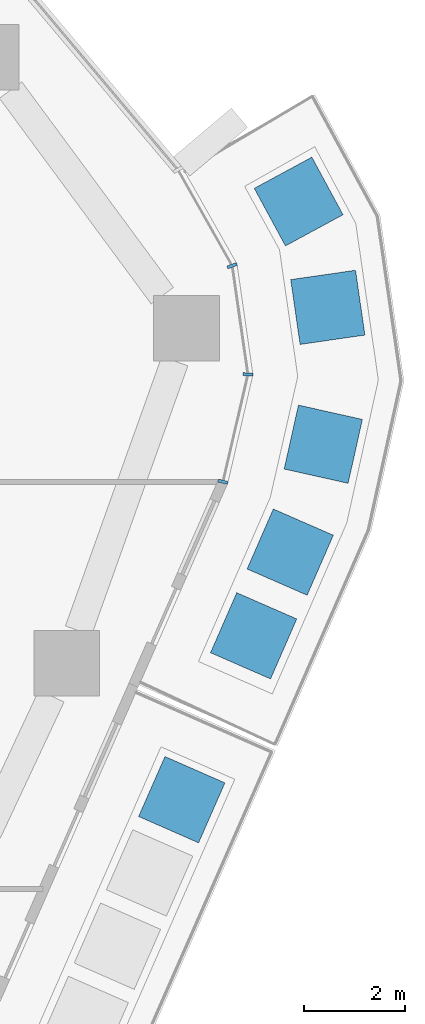
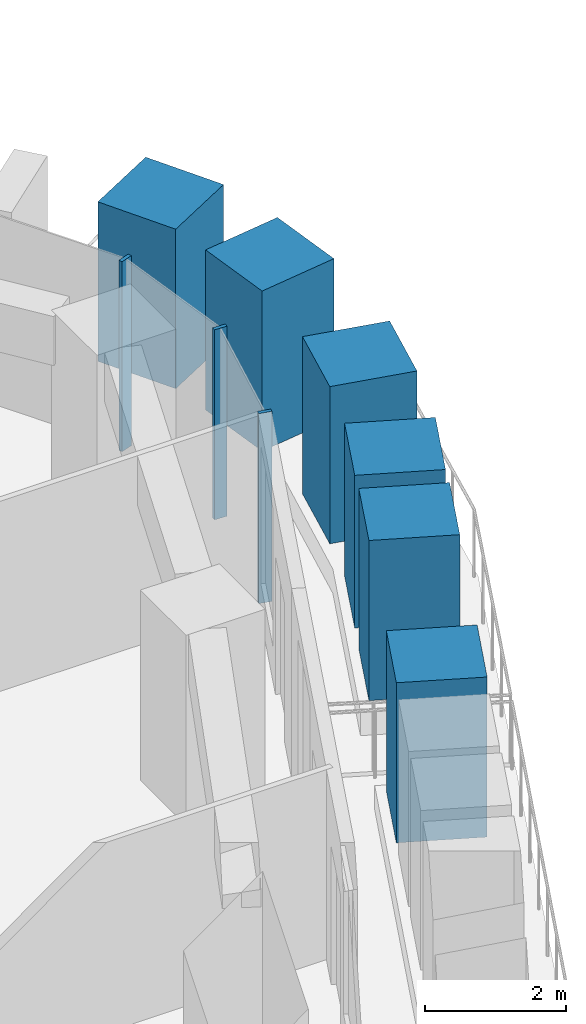
# One storey, part 9 of 24: 9 members, 1 element without a shape of its own.
"""IFC4 building model written with IfcOpenShell, lengths in metres."""

import ifcopenshell
import ifcopenshell.guid

model = None  # the IFC model being written
_history = None  # IfcOwnerHistory: only IFC2X3 demands one
_inside = {}  # id of a spatial element -> (the spatial element, [elements in it])
_under = {}  # id of a project, library or spatial element -> (it, [spatial elements below it])
_declared = {}  # id of a project -> (the project, [libraries it declares])
_typed = {}  # id of a type object -> (the type object, [elements of that type])
_made_of = {}  # id of a material, layer set ... -> (it, [elements and type objects made of it])


def new_model(schema):
    """Start an empty IFC model of exactly this schema.

    Asked for "IFC4X3", IfcOpenShell would pick the latest addendum, in which some entities
    have other attributes; the version numbers below select the first issue.
    IFC2X3 requires an IfcOwnerHistory on every rooted entity: one is made here for all.
    """
    global model, _history
    if schema == "IFC4X3":
        model = ifcopenshell.file(schema_version=(4, 3, 0, 0))
    else:
        model = ifcopenshell.file(schema=schema)
    _inside.clear()
    _under.clear()
    _declared.clear()
    _typed.clear()
    _made_of.clear()
    _history = None
    if model.schema == "IFC2X3":
        org = make("IfcOrganization", Name="unknown")
        user = make(
            "IfcPersonAndOrganization",
            ThePerson=make("IfcPerson", FamilyName="unknown"),
            TheOrganization=org,
        )
        app = make(
            "IfcApplication",
            ApplicationDeveloper=org,
            Version="unknown",
            ApplicationFullName="unknown",
            ApplicationIdentifier="unknown",
        )
        _history = make(
            "IfcOwnerHistory",
            OwningUser=user,
            OwningApplication=app,
            ChangeAction="ADDED",
            CreationDate=0,
        )
    return model


def make(cls, **values):
    """One entity of the class cls with the attributes given. An attribute that is None is left unset."""
    return model.create_entity(
        cls, **{name: value for name, value in values.items() if value is not None}
    )


def rooted(cls, **values):
    """An entity with a GlobalId (a new one), such as an element, a storey or a relation."""
    return make(cls, GlobalId=ifcopenshell.guid.new(), OwnerHistory=_history, **values)


def si_unit(unit_type, name, prefix=None):
    """IfcSIUnit, for example si_unit("LENGTHUNIT", "METRE", prefix="MILLI")."""
    return make("IfcSIUnit", UnitType=unit_type, Prefix=prefix, Name=name)


def assignment(units):
    """IfcUnitAssignment: the units of a project."""
    return None if units is None else make("IfcUnitAssignment", Units=units)


def point(xyz):
    """IfcCartesianPoint."""
    return None if xyz is None else make("IfcCartesianPoint", Coordinates=xyz)


def direction(xyz):
    """IfcDirection."""
    return None if xyz is None else make("IfcDirection", DirectionRatios=xyz)


def frame(location, z_axis=None, x_axis=None):
    """IfcAxis2Placement3D, a coordinate frame: its origin and axes. An axis left out is left unset."""
    return make(
        "IfcAxis2Placement3D",
        Location=point(location),
        Axis=direction(z_axis),
        RefDirection=direction(x_axis),
    )


def frame_2d(location, x_axis=None):
    """IfcAxis2Placement2D, a coordinate frame in the plane: its origin and x axis."""
    return make(
        "IfcAxis2Placement2D", Location=point(location), RefDirection=direction(x_axis)
    )


def origin():
    """The frame at (0, 0, 0) with its axes left unset."""
    return frame((0.0, 0.0, 0.0))


def origin_2d():
    """The frame at (0, 0) in the plane with its x axis left unset."""
    return frame_2d((0.0, 0.0))


def place(relative_to, where):
    """IfcLocalPlacement: puts the frame where relative to a parent placement (None: the world)."""
    return make(
        "IfcLocalPlacement", PlacementRelTo=relative_to, RelativePlacement=where
    )


def context(
    kind, dimensions, precision=None, world=None, true_north=None, identifier=None
):
    """IfcGeometricRepresentationContext, for example the 3D "Model" context."""
    return make(
        "IfcGeometricRepresentationContext",
        ContextIdentifier=identifier,
        ContextType=kind,
        CoordinateSpaceDimension=dimensions,
        Precision=precision,
        WorldCoordinateSystem=world,
        TrueNorth=true_north,
    )


def subcontext(parent, identifier, kind, view, scale=None):
    """IfcGeometricRepresentationSubContext, for example "Body" below "Model"."""
    return make(
        "IfcGeometricRepresentationSubContext",
        ContextIdentifier=identifier,
        ContextType=kind,
        ParentContext=parent,
        TargetScale=scale,
        TargetView=view,
    )


def project(units=None, contexts=None):
    """IfcProject with its units and contexts."""
    return rooted(
        "IfcProject",
        Name="project",
        RepresentationContexts=contexts,
        UnitsInContext=assignment(units),
    )


def spatial(cls, under=None, at=None, **own):
    """A site, building, storey or space (cls), placed at a placement, below another one or the project."""
    s = rooted(cls, ObjectPlacement=at, **own)
    if under is not None:
        _under.setdefault(under.id(), (under, []))[1].append(s)
    return s


def profile(cls, at=None, kind="AREA", **sizes):
    """A parametric profile (cls). Its sizes go by their IFC names, for example OverallWidth=200.0."""
    return make(cls, ProfileType=kind, Position=at, **sizes)


def rectangle(**sizes):
    """IfcRectangleProfileDef."""
    return profile("IfcRectangleProfileDef", **sizes)


def extrude(swept, where, along, depth):
    """IfcExtrudedAreaSolid: the profile swept, set in the frame where, extruded along a direction by depth."""
    return make(
        "IfcExtrudedAreaSolid",
        SweptArea=swept,
        Position=where,
        ExtrudedDirection=direction(along),
        Depth=depth,
    )


def shape(context_of_items, identifier, shape_type, items):
    """IfcShapeRepresentation: the items that make up one representation, for example the "Body"."""
    return make(
        "IfcShapeRepresentation",
        ContextOfItems=context_of_items,
        RepresentationIdentifier=identifier,
        RepresentationType=shape_type,
        Items=items,
    )


def material(Name=None, Category=None):
    """IfcMaterial."""
    return make("IfcMaterial", Name=Name, Category=Category)


def layer(
    of_material, thickness, ventilated=None, Name=None, Category=None, Priority=None
):
    """IfcMaterialLayer: one layer of a wall or slab, of a material (None: an air gap)."""
    return make(
        "IfcMaterialLayer",
        Material=of_material,
        LayerThickness=thickness,
        IsVentilated=ventilated,
        Name=Name,
        Category=Category,
        Priority=Priority,
    )


def layer_set(layers, Name=None):
    """IfcMaterialLayerSet."""
    return make("IfcMaterialLayerSet", MaterialLayers=layers, LayerSetName=Name)


def material_profile(
    of_material, cross_section, Name=None, Category=None, Priority=None
):
    """IfcMaterialProfile: a cross section and its material."""
    return make(
        "IfcMaterialProfile",
        Name=Name,
        Material=of_material,
        Profile=cross_section,
        Priority=Priority,
        Category=Category,
    )


def profile_set(profiles, Name=None, composite=None):
    """IfcMaterialProfileSet."""
    return make(
        "IfcMaterialProfileSet",
        Name=Name,
        MaterialProfiles=profiles,
        CompositeProfile=composite,
    )


def made_of(thing, what):
    """Note that an element or type object is made of a material, layer set ...; save() writes the relation."""
    if what is not None:
        _made_of.setdefault(what.id(), (what, []))[1].append(thing)
    return thing


def type_object(cls, material=None, **own):
    """A type object (cls), such as IfcWallType, which elements share."""
    return made_of(rooted(cls, **own), material)


def element(
    cls,
    number,
    at=None,
    inside=None,
    cuts=None,
    type_object=None,
    material=None,
    context=None,
    identifier="Body",
    shape_type=None,
    held_by="IfcProductDefinitionShape",
    body=None,
    shapes=None,
    **own,
):
    """One element of the class cls, such as IfcWall. Its Tag is "e" and its number.

    at: its placement. inside: the storey or other place that contains it. cuts: it is an
    opening in that element (IfcRelVoidsElement). A single representation is given by context,
    identifier, shape_type and body (its items); several are given by shapes. held_by: the class
    of the entity that holds the representations. save() writes the other relations.
    """
    e = rooted(cls, Tag="e%d" % number, ObjectPlacement=at, **own)
    if body is not None:
        shapes = [shape(context, identifier, shape_type, body)]
    if shapes is not None:
        e.Representation = make(held_by, Representations=shapes)
    if inside is not None:
        _inside.setdefault(inside.id(), (inside, []))[1].append(e)
    if cuts is not None:
        rooted(
            "IfcRelVoidsElement", RelatingBuildingElement=cuts, RelatedOpeningElement=e
        )
    if type_object is not None:
        _typed.setdefault(type_object.id(), (type_object, []))[1].append(e)
    return made_of(e, material)


def aggregate(whole, parts):
    """IfcRelAggregates: a whole, such as a stair, and the parts it consists of."""
    return rooted("IfcRelAggregates", RelatingObject=whole, RelatedObjects=parts)


def save(model, path):
    """Write the relations noted so far, then the file.

    IfcRelAggregates (storeys below a building ...), IfcRelContainedInSpatialStructure (elements
    in a storey), IfcRelDefinesByType, IfcRelAssociatesMaterial and IfcRelDeclares: one each for
    every whole, place, type object, material and project.
    """
    for whole, parts in _under.values():
        aggregate(whole, parts)
    for where, things in _inside.values():
        rooted(
            "IfcRelContainedInSpatialStructure",
            RelatedElements=things,
            RelatingStructure=where,
        )
    for kind, things in _typed.values():
        rooted("IfcRelDefinesByType", RelatedObjects=things, RelatingType=kind)
    for what, things in _made_of.values():
        rooted("IfcRelAssociatesMaterial", RelatedObjects=things, RelatingMaterial=what)
    for by, libraries in _declared.values():
        rooted("IfcRelDeclares", RelatingContext=by, RelatedDefinitions=libraries)
    model.write(path)


model = new_model("IFC4")

# Units and contexts
model_context = context("Model", 3, precision=1e-05, world=origin(), true_north=direction((0.0, 1.0)))
body_context = subcontext(model_context, "Body", "Model", "MODEL_VIEW")
ifc_project = project(units=[si_unit("LENGTHUNIT", "METRE"), si_unit("AREAUNIT", "SQUARE_METRE"), si_unit("VOLUMEUNIT", "CUBIC_METRE"), si_unit("PLANEANGLEUNIT", "RADIAN"), si_unit("MASSUNIT", "GRAM", prefix="KILO")], contexts=[model_context])

# Site, building, storey
site_placement = place(None, origin())
site = spatial("IfcSite", under=ifc_project, at=site_placement, CompositionType="ELEMENT")
building_placement = place(site_placement, origin())
building = spatial("IfcBuilding", under=site, at=building_placement, Name="Dongbaek Canopy Tower", CompositionType="ELEMENT")
storey_placement = place(building_placement, frame((0.0, 0.0, 128.5)))
storey = spatial("IfcBuildingStorey", under=building, at=storey_placement, Name="L28", CompositionType="ELEMENT", Elevation=128.5)

# Curtain wall, members
ifc_material_1 = material(Name="Aluminium 6063-T6 pale anodised", Category="aluminium")
ifc_layer = layer(ifc_material_1, 0.199951171875)
ifc_layer_set = layer_set([ifc_layer], Name="CW-1 unitised tower curtain wall")
curtain_wall_type = type_object("IfcCurtainWallType", Name="CW-1 unitised tower curtain wall", PredefinedType="NOTDEFINED", material=ifc_layer_set)
curtain_wall_placement = place(storey_placement, origin())
curtain_wall = element("IfcCurtainWall", 1, at=curtain_wall_placement, inside=storey, type_object=curtain_wall_type, Name="CW-1 curtain wall K0.1", PredefinedType="NOTDEFINED")
ifc_material_2 = material(Name="Aluminium 6063-T6 pale anodised", Category="aluminium")
ifc_material_profile_1 = material_profile(ifc_material_2, rectangle(XDim=0.199951171875, YDim=0.06005859375, at=origin_2d()), Name="CW-1 mullion 60 x 200")
ifc_profile_set_1 = profile_set([ifc_material_profile_1], Name="Aluminium 6063-T6 pale anodised")
member_type_1 = type_object("IfcMemberType", Name="CW-1 mullion 60 x 200", PredefinedType="MULLION", material=ifc_profile_set_1)
member_1_placement = place(storey_placement, frame((30.533203125, 3.4384765625, 0.0), z_axis=(0.0, 0.0, 1.0), x_axis=(0.974088872449, -0.226165577778, 0.0)))
member_1 = element("IfcMember", 2, at=member_1_placement, type_object=member_type_1, Name="CW-1 mullion K0.1.1", PredefinedType="MULLION", context=body_context, shape_type="SweptSolid", body=[
    extrude(rectangle(XDim=0.199951171875, YDim=0.06005859375, at=origin_2d()), origin(), (0.0, 0.0, 1.0), 3.300048828125),
])
member_2_placement = place(storey_placement, frame((31.028076171875, 5.56982421875, 0.0), z_axis=(0.0, 0.0, 1.0), x_axis=(0.99910182485, -0.042373854938, 0.0)))
member_2 = element("IfcMember", 3, at=member_2_placement, type_object=member_type_1, Name="CW-1 mullion K0.1.2", PredefinedType="MULLION", context=body_context, shape_type="SweptSolid", body=[
    extrude(rectangle(XDim=0.199951171875, YDim=0.06005859375, at=origin_2d()), origin(), (0.0, 0.0, 1.0), 3.300048828125),
])
member_3_placement = place(storey_placement, frame((30.716796875, 7.726318359375, 0.0), z_axis=(0.0, 0.0, 1.0), x_axis=(0.946327371604, 0.323209693161, 0.0)))
member_3 = element("IfcMember", 4, at=member_3_placement, type_object=member_type_1, Name="CW-1 mullion K0.1.3", PredefinedType="MULLION", context=body_context, shape_type="SweptSolid", body=[
    extrude(rectangle(XDim=0.199951171875, YDim=0.06005859375, at=origin_2d()), origin(), (0.0, 0.0, 1.0), 3.300048828125),
])
aggregate(curtain_wall, [member_1, member_2, member_3])

# Members
ifc_material_3 = material(Name="Concrete C40/50 planter mass with planting", Category="concrete")
ifc_material_profile_2 = material_profile(ifc_material_3, rectangle(XDim=1.300048828125, YDim=1.300048828125, at=origin_2d()), Name="Terrace PLANTER shrub mass 1300 x 1300")
ifc_profile_set_2 = profile_set([ifc_material_profile_2], Name="Concrete C40/50 planter mass with planting")
member_type_2 = type_object("IfcMemberType", Name="Terrace PLANTER shrub mass 1300 x 1300", PredefinedType="USERDEFINED", material=ifc_profile_set_2)
for number, where, z_axis, x_axis, name in (
    (5, (29.71728515625, -2.869873046875, 0.419921875), (0.0, 0.0, 1.0), (0.915562348389, -0.402176063698, 0.0), "Planter shrubs L28 4.10"),
    (6, (31.1435546875, 0.381591796875, 0.419921875), (0.0, 0.0, 1.0), (0.916368384555, -0.40033608854, 0.0), "Planter shrubs L28 5.1"),
):
    element("IfcMember", number, at=place(storey_placement, frame(where, z_axis=z_axis, x_axis=x_axis)), inside=storey, type_object=member_type_2, Name=name, ObjectType="PLANTER", PredefinedType="USERDEFINED", context=body_context, shape_type="SweptSolid", body=[
        extrude(rectangle(XDim=1.300048828125, YDim=1.300048828125, at=origin_2d()), origin(), (0.0, 0.0, 1.0), 2.780029296875),
    ])
member_4_placement = place(storey_placement, frame((31.869140625, 2.042724609375, 0.419921875), z_axis=(0.0, 0.0, 1.0), x_axis=(0.916368384555, -0.40033608854, 0.0)))
element("IfcMember", 7, at=member_4_placement, inside=storey, type_object=member_type_2, Name="Planter shrubs L28 5.2", ObjectType="PLANTER", PredefinedType="USERDEFINED", context=body_context, shape_type="SweptSolid", body=[
    extrude(rectangle(XDim=1.300048828125, YDim=1.300048828125, at=origin_2d()), origin(), (0.0, 0.0, 1.0), 2.650146484375),
])
member_5_placement = place(storey_placement, frame((32.525146484375, 4.183837890625, 0.419921875), z_axis=(0.0, 0.0, 1.0), x_axis=(0.975891989306, -0.218254038242, 0.0)))
element("IfcMember", 8, at=member_5_placement, inside=storey, type_object=member_type_2, Name="Planter shrubs L28 5.3", ObjectType="PLANTER", PredefinedType="USERDEFINED", context=body_context, shape_type="SweptSolid", body=[
    extrude(rectangle(XDim=1.300048828125, YDim=1.300048828125, at=origin_2d()), origin(), (0.0, 0.0, 1.0), 2.72998046875),
])
member_6_placement = place(storey_placement, frame((32.615234375, 6.899658203125, 0.419921875), z_axis=(0.0, 0.0, 1.0), x_axis=(0.989740633835, 0.142875742295, 0.0)))
element("IfcMember", 9, at=member_6_placement, inside=storey, type_object=member_type_2, Name="Planter shrubs L28 5.4", ObjectType="PLANTER", PredefinedType="USERDEFINED", context=body_context, shape_type="SweptSolid", body=[
    extrude(rectangle(XDim=1.300048828125, YDim=1.300048828125, at=origin_2d()), origin(), (0.0, 0.0, 1.0), 2.780029296875),
])
member_7_placement = place(storey_placement, frame((32.036376953125, 8.999267578125, 0.419921875), z_axis=(0.0, 0.0, 1.0), x_axis=(0.879276627689, 0.476311465325, 0.0)))
element("IfcMember", 10, at=member_7_placement, inside=storey, type_object=member_type_2, Name="Planter shrubs L28 5.5", ObjectType="PLANTER", PredefinedType="USERDEFINED", context=body_context, shape_type="SweptSolid", body=[
    extrude(rectangle(XDim=1.300048828125, YDim=1.300048828125, at=origin_2d()), origin(), (0.0, 0.0, 1.0), 2.77001953125),
])

save(model, "model.ifc")
